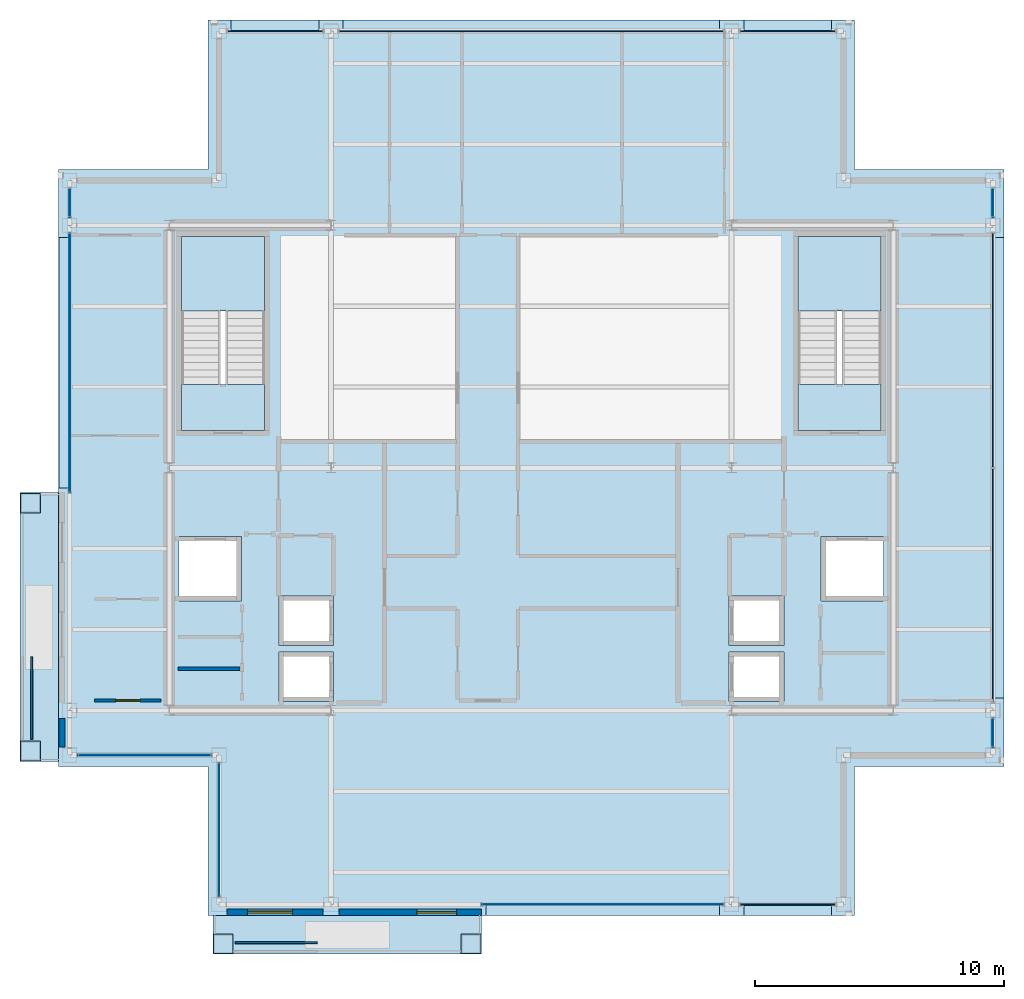
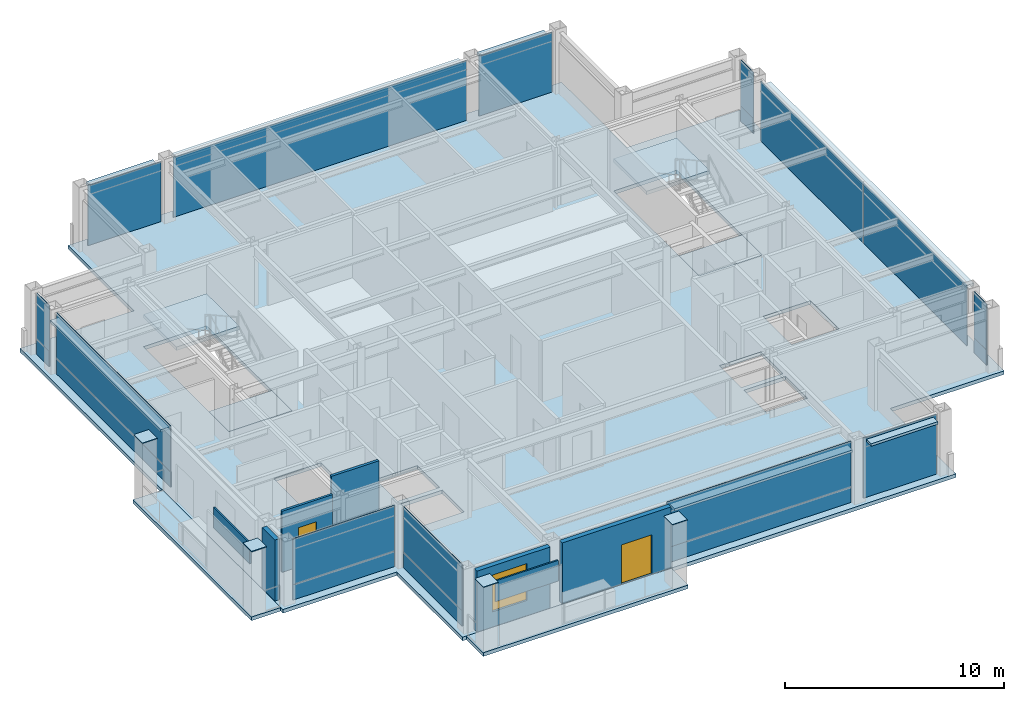
# One storey, part 19 of 24: 33 plates, 7 slabs, 5 walls, 2 doors, 1 window, 3 openings, 14 elements without a shape of their own.
"""IFC4 building model written with IfcOpenShell, lengths in metres."""

from ifc_helpers import new_model, si_unit, direction, frame, frame_2d, origin, origin_2d, place, context, subcontext, project, spatial, polyline, rectangle, outline, extrude, material, layer, layer_set, type_object, element, fill, aggregate, save


model = new_model("IFC4")

# Units and contexts
model_context = context("Model", 3, precision=1e-05, world=origin(), true_north=direction((0.0, 1.0)))
body_context = subcontext(model_context, "Body", "Model", "MODEL_VIEW")
ifc_project = project(units=[si_unit("LENGTHUNIT", "METRE"), si_unit("AREAUNIT", "SQUARE_METRE"), si_unit("VOLUMEUNIT", "CUBIC_METRE"), si_unit("PLANEANGLEUNIT", "RADIAN"), si_unit("MASSUNIT", "GRAM", prefix="KILO")], contexts=[model_context])

# Site, building, storey
site_placement = place(None, origin())
site = spatial("IfcSite", under=ifc_project, at=site_placement, CompositionType="ELEMENT")
building_placement = place(site_placement, origin())
building = spatial("IfcBuilding", under=site, at=building_placement, Name="Brelmoor Portico Tower", CompositionType="ELEMENT")
storey_placement = place(building_placement, frame((0.0, 0.0, 261.60009765625)))
storey = spatial("IfcBuildingStorey", under=building, at=storey_placement, Name="L69", CompositionType="ELEMENT", Elevation=261.60009765625)

# Plates
ifc_material_1 = material(Name="Steel Q355B", Category="steel")
ifc_layer_1 = layer(ifc_material_1, 0.044921875)
ifc_layer_set_1 = layer_set([ifc_layer_1], Name="Steel Q355B")
plate_type_1 = type_object("IfcPlateType", Name="PT-CAP-650", PredefinedType="SHEET", material=ifc_layer_set_1)
for number, where, z_axis, x_axis, name in (
    (1, (-12.3798828125, -19.1298828125, 3.599853515625), (0.0, 0.0, 1.0), (1.0, 0.0, 0.0), "L69 Proud Picture-Frame Pier PFJ-S1 Welded Head Cap Plate"),
    (2, (-2.419921875, -19.1298828125, 3.599853515625), (0.0, 0.0, 1.0), (1.0, 0.0, 0.0), "L69 Proud Picture-Frame Pier PFJ-S2 Welded Head Cap Plate"),
    (3, (-20.1298828125, -11.3798828125, 3.599853515625), (0.0, 0.0, 1.0), (0.0, 1.0, 0.0), "L69 Proud Picture-Frame Pier PFJ-W1 Welded Head Cap Plate"),
    (4, (-20.1298828125, -1.419921875, 3.599853515625), (0.0, 0.0, 1.0), (0.0, 1.0, 0.0), "L69 Proud Picture-Frame Pier PFJ-W2 Welded Head Cap Plate"),
):
    element("IfcPlate", number, at=place(storey_placement, frame(where, z_axis=z_axis, x_axis=x_axis)), inside=storey, type_object=plate_type_1, Name=name, PredefinedType="SHEET", context=body_context, shape_type="SweptSolid", body=[
        extrude(rectangle(XDim=0.7900390625, YDim=0.7900390625, at=origin_2d()), origin(), (0.0, 0.0, 1.0), 0.0400390625),
    ])

# Curtain wall, plate
ifc_material_2 = material(Name="Anodised Aluminium Alloy 6063-T6", Category="aluminium")
ifc_layer_2 = layer(ifc_material_2, 0.179931640625)
ifc_layer_set_2 = layer_set([ifc_layer_2], Name="Anodised Aluminium Alloy 6063-T6")
curtain_wall_type_1 = type_object("IfcCurtainWallType", Name="CW-TOWER-Z4", PredefinedType="NOTDEFINED", material=ifc_layer_set_2)
curtain_wall_1_placement = place(storey_placement, origin())
curtain_wall_1 = element("IfcCurtainWall", 5, at=curtain_wall_1_placement, inside=storey, type_object=curtain_wall_type_1, Name="L69 Curtain Wall CW-L69-1R-1", PredefinedType="NOTDEFINED")
ifc_material_3 = material(Name="Double-Silver Low-E Insulated Glazing", Category="glass")
ifc_layer_3 = layer(ifc_material_3, 0.035888671875)
ifc_layer_set_3 = layer_set([ifc_layer_3], Name="Double-Silver Low-E Insulated Glazing")
plate_type_2 = type_object("IfcPlateType", Name="PT-CW-GLASS", PredefinedType="CURTAIN_PANEL", material=ifc_layer_set_3)
plate_1_placement = place(storey_placement, frame((2.8701171875, -17.550048828125, 0.85009765625), z_axis=(0.0, 0.0, 1.0), x_axis=(1.0, 0.0, 0.0)))
plate_1 = element("IfcPlate", 6, at=plate_1_placement, type_object=plate_type_2, Name="CW-L69-1R-1 Vision Glass Panel 00", PredefinedType="CURTAIN_PANEL", context=body_context, shape_type="SweptSolid", body=[
    extrude(rectangle(XDim=9.7099609375, YDim=0.035888671875, at=origin_2d()), origin(), (0.0, 0.0, 1.0), 2.550048828125),
])

curtain_wall_2_placement = place(storey_placement, origin())
curtain_wall_2 = element("IfcCurtainWall", 7, at=curtain_wall_2_placement, inside=storey, type_object=curtain_wall_type_1, Name="L69 Curtain Wall CW-L69-3R-1", PredefinedType="NOTDEFINED")
plate_2_placement = place(storey_placement, frame((-18.550048828125, 4.219970703125, 0.85009765625), z_axis=(0.0, 0.0, 1.0), x_axis=(0.0, 1.0, 0.0)))
plate_2 = element("IfcPlate", 8, at=plate_2_placement, type_object=plate_type_2, Name="CW-L69-3R-1 Vision Glass Panel 00", PredefinedType="CURTAIN_PANEL", context=body_context, shape_type="SweptSolid", body=[
    extrude(rectangle(XDim=10.409912109375, YDim=0.035888671875, at=origin_2d()), origin(), (0.0, 0.0, 1.0), 2.550048828125),
])

curtain_wall_3_placement = place(storey_placement, origin())
curtain_wall_3 = element("IfcCurtainWall", 9, at=curtain_wall_3_placement, inside=storey, type_object=curtain_wall_type_1, Name="L69 Curtain Wall CW-L69-3R-2", PredefinedType="NOTDEFINED")
plate_3_placement = place(storey_placement, frame((-18.550048828125, 10.64990234375, 0.85009765625), z_axis=(0.0, 0.0, 1.0), x_axis=(0.0, 1.0, 0.0)))
plate_3 = element("IfcPlate", 10, at=plate_3_placement, type_object=plate_type_2, Name="CW-L69-3R-2 Vision Glass Panel 00", PredefinedType="CURTAIN_PANEL", context=body_context, shape_type="SweptSolid", body=[
    extrude(rectangle(XDim=1.14990234375, YDim=0.035888671875, at=origin_2d()), origin(), (0.0, 0.0, 1.0), 2.550048828125),
])

curtain_wall_4_placement = place(storey_placement, origin())
curtain_wall_4 = element("IfcCurtainWall", 11, at=curtain_wall_4_placement, inside=storey, type_object=curtain_wall_type_1, Name="L69 Curtain Wall CW-L69-04-1", PredefinedType="NOTDEFINED")
plate_4_placement = place(storey_placement, frame((18.550048828125, -10.64990234375, 0.85009765625), z_axis=(0.0, 0.0, 1.0), x_axis=(0.0, 1.0, 0.0)))
plate_4 = element("IfcPlate", 12, at=plate_4_placement, type_object=plate_type_2, Name="CW-L69-04-1 Vision Glass Panel 00", PredefinedType="CURTAIN_PANEL", context=body_context, shape_type="SweptSolid", body=[
    extrude(rectangle(XDim=1.14990234375, YDim=0.035888671875, at=origin_2d()), origin(), (0.0, 0.0, 1.0), 2.550048828125),
])

curtain_wall_5_placement = place(storey_placement, origin())
curtain_wall_5 = element("IfcCurtainWall", 13, at=curtain_wall_5_placement, inside=storey, type_object=curtain_wall_type_1, Name="L69 Curtain Wall CW-L69-04-3", PredefinedType="NOTDEFINED")
plate_5_placement = place(storey_placement, frame((18.550048828125, 10.64990234375, 0.85009765625), z_axis=(0.0, 0.0, 1.0), x_axis=(0.0, 1.0, 0.0)))
plate_5 = element("IfcPlate", 14, at=plate_5_placement, type_object=plate_type_2, Name="CW-L69-04-3 Vision Glass Panel 00", PredefinedType="CURTAIN_PANEL", context=body_context, shape_type="SweptSolid", body=[
    extrude(rectangle(XDim=1.14990234375, YDim=0.035888671875, at=origin_2d()), origin(), (0.0, 0.0, 1.0), 2.550048828125),
])

ifc_layer_4 = layer(ifc_material_2, 0.179931640625)
ifc_layer_set_4 = layer_set([ifc_layer_4], Name="Anodised Aluminium Alloy 6063-T6")
curtain_wall_type_2 = type_object("IfcCurtainWallType", Name="CW-NOTCH-CHAMFER", PredefinedType="NOTDEFINED", material=ifc_layer_set_4)
curtain_wall_6_placement = place(storey_placement, origin())
curtain_wall_6 = element("IfcCurtainWall", 15, at=curtain_wall_6_placement, inside=storey, type_object=curtain_wall_type_2, Name="L69 Curtain Wall CWN-L69-SWH", PredefinedType="NOTDEFINED")
plate_6_placement = place(storey_placement, frame((-15.550048828125, -11.550048828125, 0.85009765625), z_axis=(0.0, 0.0, 1.0), x_axis=(1.0, 0.0, 0.0)))
plate_6 = element("IfcPlate", 16, at=plate_6_placement, type_object=plate_type_2, Name="CWN-L69-SWH Vision Glass Panel 00", PredefinedType="CURTAIN_PANEL", context=body_context, shape_type="SweptSolid", body=[
    extrude(rectangle(XDim=5.35009765625, YDim=0.035888671875, at=origin_2d()), origin(), (0.0, 0.0, 1.0), 2.550048828125),
])

curtain_wall_7_placement = place(storey_placement, origin())
curtain_wall_7 = element("IfcCurtainWall", 17, at=curtain_wall_7_placement, inside=storey, type_object=curtain_wall_type_2, Name="L69 Curtain Wall CWN-L69-SWV", PredefinedType="NOTDEFINED")
plate_7_placement = place(storey_placement, frame((-12.550048828125, -14.550048828125, 0.85009765625), z_axis=(0.0, 0.0, 1.0), x_axis=(0.0, 1.0, 0.0)))
plate_7 = element("IfcPlate", 18, at=plate_7_placement, type_object=plate_type_2, Name="CWN-L69-SWV Vision Glass Panel 00", PredefinedType="CURTAIN_PANEL", context=body_context, shape_type="SweptSolid", body=[
    extrude(rectangle(XDim=5.35009765625, YDim=0.035888671875, at=origin_2d()), origin(), (0.0, 0.0, 1.0), 2.550048828125),
])

# Plate
ifc_material_4 = material(Name="Pale Champagne Anodised Aluminium Panel", Category="aluminium")
ifc_layer_5 = layer(ifc_material_4, 0.050048828125)
ifc_layer_set_5 = layer_set([ifc_layer_5], Name="Pale Champagne Anodised Aluminium Panel")
plate_type_3 = type_object("IfcPlateType", Name="PT-CW-SPANDREL", PredefinedType="SHEET", material=ifc_layer_set_5)
plate_8_placement = place(storey_placement, frame((2.8701171875, -17.550048828125, -0.000244140625), z_axis=(0.0, 0.0, 1.0), x_axis=(1.0, 0.0, 0.0)))
plate_8 = element("IfcPlate", 19, at=plate_8_placement, type_object=plate_type_3, Name="CW-L69-1R-1 Spandrel Panel 00", PredefinedType="SHEET", context=body_context, shape_type="SweptSolid", body=[
    extrude(rectangle(XDim=9.7099609375, YDim=0.050048828125, at=origin_2d()), origin(), (0.0, 0.0, 1.0), 0.85009765625),
])

aggregate(curtain_wall_1, [plate_8, plate_1])

# Curtain wall, plate
ifc_layer_6 = layer(ifc_material_2, 0.179931640625)
ifc_layer_set_6 = layer_set([ifc_layer_6], Name="Anodised Aluminium Alloy 6063-T6")
curtain_wall_type_3 = type_object("IfcCurtainWallType", Name="CW-TOWER-Z4-XB", PredefinedType="NOTDEFINED", material=ifc_layer_set_6)
curtain_wall_8_placement = place(storey_placement, origin())
curtain_wall_8 = element("IfcCurtainWall", 20, at=curtain_wall_8_placement, inside=storey, type_object=curtain_wall_type_3, Name="L69 Curtain Wall CW-L69-1R-2", PredefinedType="NOTDEFINED")
plate_9_placement = place(storey_placement, frame((10.300048828125, -17.550048828125, 0.0), z_axis=(0.0, 0.0, 1.0), x_axis=(1.0, 0.0, 0.0)))
plate_9 = element("IfcPlate", 21, at=plate_9_placement, type_object=plate_type_3, Name="CW-L69-1R-2 Spandrel Panel 00", PredefinedType="SHEET", context=body_context, shape_type="SweptSolid", body=[
    extrude(rectangle(XDim=3.85009765625, YDim=0.050048828125, at=origin_2d()), origin(), (0.0, 0.0, 1.0), 3.33740234375),
])
aggregate(curtain_wall_8, [plate_9])

curtain_wall_9_placement = place(storey_placement, origin())
curtain_wall_9 = element("IfcCurtainWall", 22, at=curtain_wall_9_placement, inside=storey, type_object=curtain_wall_type_3, Name="L69 Curtain Wall CW-L69-02-1", PredefinedType="NOTDEFINED")
plate_10_placement = place(storey_placement, frame((-10.300048828125, 17.550048828125, 0.0), z_axis=(0.0, 0.0, 1.0), x_axis=(1.0, 0.0, 0.0)))
plate_10 = element("IfcPlate", 23, at=plate_10_placement, type_object=plate_type_3, Name="CW-L69-02-1 Spandrel Panel 00", PredefinedType="SHEET", context=body_context, shape_type="SweptSolid", body=[
    extrude(rectangle(XDim=3.85009765625, YDim=0.050048828125, at=origin_2d()), origin(), (0.0, 0.0, 1.0), 3.33740234375),
])
aggregate(curtain_wall_9, [plate_10])

curtain_wall_10_placement = place(storey_placement, origin())
curtain_wall_10 = element("IfcCurtainWall", 24, at=curtain_wall_10_placement, inside=storey, type_object=curtain_wall_type_3, Name="L69 Curtain Wall CW-L69-02-2", PredefinedType="NOTDEFINED")
plate_11_placement = place(storey_placement, frame((0.0, 17.550048828125, 0.0), z_axis=(0.0, 0.0, 1.0), x_axis=(1.0, 0.0, 0.0)))
plate_11 = element("IfcPlate", 25, at=plate_11_placement, type_object=plate_type_3, Name="CW-L69-02-2 Spandrel Panel 00", PredefinedType="SHEET", context=body_context, shape_type="SweptSolid", body=[
    extrude(rectangle(XDim=15.449951171875, YDim=0.050048828125, at=origin_2d()), origin(), (0.0, 0.0, 1.0), 3.33740234375),
])
aggregate(curtain_wall_10, [plate_11])

curtain_wall_11_placement = place(storey_placement, origin())
curtain_wall_11 = element("IfcCurtainWall", 26, at=curtain_wall_11_placement, inside=storey, type_object=curtain_wall_type_3, Name="L69 Curtain Wall CW-L69-02-3", PredefinedType="NOTDEFINED")
plate_12_placement = place(storey_placement, frame((10.300048828125, 17.550048828125, 0.0), z_axis=(0.0, 0.0, 1.0), x_axis=(1.0, 0.0, 0.0)))
plate_12 = element("IfcPlate", 27, at=plate_12_placement, type_object=plate_type_3, Name="CW-L69-02-3 Spandrel Panel 00", PredefinedType="SHEET", context=body_context, shape_type="SweptSolid", body=[
    extrude(rectangle(XDim=3.85009765625, YDim=0.050048828125, at=origin_2d()), origin(), (0.0, 0.0, 1.0), 3.33740234375),
])
aggregate(curtain_wall_11, [plate_12])

# Plate
plate_13_placement = place(storey_placement, frame((-18.550048828125, 4.219970703125, -0.000244140625), z_axis=(0.0, 0.0, 1.0), x_axis=(0.0, 1.0, 0.0)))
plate_13 = element("IfcPlate", 28, at=plate_13_placement, type_object=plate_type_3, Name="CW-L69-3R-1 Spandrel Panel 00", PredefinedType="SHEET", context=body_context, shape_type="SweptSolid", body=[
    extrude(rectangle(XDim=10.409912109375, YDim=0.050048828125, at=origin_2d()), origin(), (0.0, 0.0, 1.0), 0.85009765625),
])

aggregate(curtain_wall_2, [plate_13, plate_2])

plate_14_placement = place(storey_placement, frame((-18.550048828125, 10.64990234375, -0.000244140625), z_axis=(0.0, 0.0, 1.0), x_axis=(0.0, 1.0, 0.0)))
plate_14 = element("IfcPlate", 29, at=plate_14_placement, type_object=plate_type_3, Name="CW-L69-3R-2 Spandrel Panel 00", PredefinedType="SHEET", context=body_context, shape_type="SweptSolid", body=[
    extrude(rectangle(XDim=1.14990234375, YDim=0.050048828125, at=origin_2d()), origin(), (0.0, 0.0, 1.0), 0.85009765625),
])

aggregate(curtain_wall_3, [plate_14, plate_3])

plate_15_placement = place(storey_placement, frame((18.550048828125, -10.64990234375, -0.000244140625), z_axis=(0.0, 0.0, 1.0), x_axis=(0.0, 1.0, 0.0)))
plate_15 = element("IfcPlate", 30, at=plate_15_placement, type_object=plate_type_3, Name="CW-L69-04-1 Spandrel Panel 00", PredefinedType="SHEET", context=body_context, shape_type="SweptSolid", body=[
    extrude(rectangle(XDim=1.14990234375, YDim=0.050048828125, at=origin_2d()), origin(), (0.0, 0.0, 1.0), 0.85009765625),
])

aggregate(curtain_wall_4, [plate_15, plate_4])

# Curtain wall, plates
curtain_wall_12_placement = place(storey_placement, origin())
curtain_wall_12 = element("IfcCurtainWall", 31, at=curtain_wall_12_placement, inside=storey, type_object=curtain_wall_type_3, Name="L69 Curtain Wall CW-L69-04-2", PredefinedType="NOTDEFINED")
plate_16_placement = place(storey_placement, frame((18.550048828125, -4.719970703125, 0.0), z_axis=(0.0, 0.0, 1.0), x_axis=(0.0, 1.0, 0.0)))
plate_16 = element("IfcPlate", 32, at=plate_16_placement, type_object=plate_type_3, Name="CW-L69-04-2 Spandrel Panel 00", PredefinedType="SHEET", context=body_context, shape_type="SweptSolid", body=[
    extrude(rectangle(XDim=9.409912109375, YDim=0.050048828125, at=origin_2d()), origin(), (0.0, 0.0, 1.0), 3.33740234375),
])
plate_17_placement = place(storey_placement, frame((18.550048828125, 4.719970703125, 0.0), z_axis=(0.0, 0.0, 1.0), x_axis=(0.0, 1.0, 0.0)))
plate_17 = element("IfcPlate", 33, at=plate_17_placement, type_object=plate_type_3, Name="CW-L69-04-2 Spandrel Panel 01", PredefinedType="SHEET", context=body_context, shape_type="SweptSolid", body=[
    extrude(rectangle(XDim=9.409912109375, YDim=0.050048828125, at=origin_2d()), origin(), (0.0, 0.0, 1.0), 3.33740234375),
])
aggregate(curtain_wall_12, [plate_16, plate_17])

# Plate
plate_18_placement = place(storey_placement, frame((18.550048828125, 10.64990234375, -0.000244140625), z_axis=(0.0, 0.0, 1.0), x_axis=(0.0, 1.0, 0.0)))
plate_18 = element("IfcPlate", 34, at=plate_18_placement, type_object=plate_type_3, Name="CW-L69-04-3 Spandrel Panel 00", PredefinedType="SHEET", context=body_context, shape_type="SweptSolid", body=[
    extrude(rectangle(XDim=1.14990234375, YDim=0.050048828125, at=origin_2d()), origin(), (0.0, 0.0, 1.0), 0.85009765625),
])

aggregate(curtain_wall_5, [plate_18, plate_5])

plate_19_placement = place(storey_placement, frame((-15.550048828125, -11.550048828125, -0.000244140625), z_axis=(0.0, 0.0, 1.0), x_axis=(1.0, 0.0, 0.0)))
plate_19 = element("IfcPlate", 35, at=plate_19_placement, type_object=plate_type_3, Name="CWN-L69-SWH Spandrel Panel 00", PredefinedType="SHEET", context=body_context, shape_type="SweptSolid", body=[
    extrude(rectangle(XDim=5.35009765625, YDim=0.050048828125, at=origin_2d()), origin(), (0.0, 0.0, 1.0), 0.85009765625),
])

aggregate(curtain_wall_6, [plate_19, plate_6])

plate_20_placement = place(storey_placement, frame((-12.550048828125, -14.550048828125, -0.000244140625), z_axis=(0.0, 0.0, 1.0), x_axis=(0.0, 1.0, 0.0)))
plate_20 = element("IfcPlate", 36, at=plate_20_placement, type_object=plate_type_3, Name="CWN-L69-SWV Spandrel Panel 00", PredefinedType="SHEET", context=body_context, shape_type="SweptSolid", body=[
    extrude(rectangle(XDim=5.35009765625, YDim=0.050048828125, at=origin_2d()), origin(), (0.0, 0.0, 1.0), 0.85009765625),
])

aggregate(curtain_wall_7, [plate_20, plate_7])

# Plates
ifc_material_5 = material(Name="Powder-Coated Aluminium Shuttered Jalousie Louvre", Category="aluminium")
ifc_layer_7 = layer(ifc_material_5, 0.06005859375)
ifc_layer_set_7 = layer_set([ifc_layer_7], Name="Powder-Coated Aluminium Shuttered Jalousie Louvre")
plate_type_4 = type_object("IfcPlateType", Name="PT-JALOUSIE-SHUTTER", PredefinedType="SHEET", material=ifc_layer_set_7)
for number, where, z_axis, x_axis, name in (
    (37, (-10.25, -19.080078125, 2.27490234375), (0.0, 0.0, 1.0), (1.0, 0.0, 0.0), "L69 Shuttered Veranda Screen S"),
    (38, (-20.080078125, -9.25, 2.27490234375), (0.0, 0.0, 1.0), (0.0, 1.0, 0.0), "L69 Shuttered Veranda Screen W"),
):
    element("IfcPlate", number, at=place(storey_placement, frame(where, z_axis=z_axis, x_axis=x_axis)), inside=storey, type_object=plate_type_4, Name=name, PredefinedType="SHEET", context=body_context, shape_type="SweptSolid", body=[
        extrude(rectangle(XDim=3.300048828125, YDim=0.080078125, at=origin_2d()), origin(), (0.0, 0.0, 1.0), 1.14990234375),
    ])
ifc_material_6 = material(Name="Pale Champagne Perforated Aluminium Solar Screen", Category="aluminium")
ifc_layer_8 = layer(ifc_material_6, 0.054931640625)
ifc_layer_set_8 = layer_set([ifc_layer_8], Name="Pale Champagne Perforated Aluminium Solar Screen")
plate_type_5 = type_object("IfcPlateType", Name="PT-SOLAR-LOUVRE", PredefinedType="SHEET", material=ifc_layer_set_8)
plate_21_placement = place(storey_placement, frame((2.8701171875, -17.760009765625, 3.08984375), z_axis=(0.0, 0.0, 1.0), x_axis=(1.0, 0.0, 0.0)))
element("IfcPlate", 39, at=plate_21_placement, inside=storey, type_object=plate_type_5, Name="CW-L69-1R-1 Caribbean Brise-Soleil Solar Screen", PredefinedType="SHEET", context=body_context, shape_type="SweptSolid", body=[
    extrude(rectangle(XDim=9.3798828125, YDim=0.4599609375, at=origin_2d()), origin(), (0.0, 0.0, 1.0), 0.139892578125),
])
for number, where, z_axis, x_axis, name in (
    (40, (10.300048828125, -17.760009765625, 3.08984375), (0.0, 0.0, 1.0), (1.0, 0.0, 0.0), "CW-L69-1R-2 Caribbean Brise-Soleil Solar Screen"),
    (41, (-10.300048828125, 17.760009765625, 3.08984375), (0.0, 0.0, 1.0), (1.0, 0.0, 0.0), "CW-L69-02-1 Caribbean Brise-Soleil Solar Screen"),
):
    element("IfcPlate", number, at=place(storey_placement, frame(where, z_axis=z_axis, x_axis=x_axis)), inside=storey, type_object=plate_type_5, Name=name, PredefinedType="SHEET", context=body_context, shape_type="SweptSolid", body=[
        extrude(rectangle(XDim=3.52001953125, YDim=0.4599609375, at=origin_2d()), origin(), (0.0, 0.0, 1.0), 0.139892578125),
    ])
plate_22_placement = place(storey_placement, frame((0.0, 17.760009765625, 3.08984375), z_axis=(0.0, 0.0, 1.0), x_axis=(1.0, 0.0, 0.0)))
element("IfcPlate", 42, at=plate_22_placement, inside=storey, type_object=plate_type_5, Name="CW-L69-02-2 Caribbean Brise-Soleil Solar Screen", PredefinedType="SHEET", context=body_context, shape_type="SweptSolid", body=[
    extrude(rectangle(XDim=15.1201171875, YDim=0.4599609375, at=origin_2d()), origin(), (0.0, 0.0, 1.0), 0.139892578125),
])
plate_23_placement = place(storey_placement, frame((10.300048828125, 17.760009765625, 3.08984375), z_axis=(0.0, 0.0, 1.0), x_axis=(1.0, 0.0, 0.0)))
element("IfcPlate", 43, at=plate_23_placement, inside=storey, type_object=plate_type_5, Name="CW-L69-02-3 Caribbean Brise-Soleil Solar Screen", PredefinedType="SHEET", context=body_context, shape_type="SweptSolid", body=[
    extrude(rectangle(XDim=3.52001953125, YDim=0.4599609375, at=origin_2d()), origin(), (0.0, 0.0, 1.0), 0.139892578125),
])
plate_24_placement = place(storey_placement, frame((-18.760009765625, 4.219970703125, 3.08984375), z_axis=(0.0, 0.0, 1.0), x_axis=(0.0, 1.0, 0.0)))
element("IfcPlate", 44, at=plate_24_placement, inside=storey, type_object=plate_type_5, Name="CW-L69-3R-1 Caribbean Brise-Soleil Solar Screen", PredefinedType="SHEET", context=body_context, shape_type="SweptSolid", body=[
    extrude(rectangle(XDim=10.080078125, YDim=0.4599609375, at=origin_2d()), origin(), (0.0, 0.0, 1.0), 0.139892578125),
])
plate_25_placement = place(storey_placement, frame((18.760009765625, 0.0, 3.08984375), z_axis=(0.0, 0.0, 1.0), x_axis=(0.0, 1.0, 0.0)))
element("IfcPlate", 45, at=plate_25_placement, inside=storey, type_object=plate_type_5, Name="CW-L69-04-2 Caribbean Brise-Soleil Solar Screen", PredefinedType="SHEET", context=body_context, shape_type="SweptSolid", body=[
    extrude(rectangle(XDim=18.52001953125, YDim=0.4599609375, at=origin_2d()), origin(), (0.0, 0.0, 1.0), 0.139892578125),
])

# Slabs
ifc_material_7 = material(Name="Concrete C40", Category="concrete")
ifc_layer_9 = layer(ifc_material_7, 0.199951171875)
ifc_layer_set_9 = layer_set([ifc_layer_9], Name="Concrete C40")
slab_type_1 = type_object("IfcSlabType", Name="SL-BALCONY-200", PredefinedType="FLOOR", material=ifc_layer_set_9)
slab_1_placement = place(storey_placement, frame((0.0, 0.0, -0.2001953125)))
element("IfcSlab", 46, at=slab_1_placement, inside=storey, type_object=slab_type_1, Name="L69 Loggia Tree Balcony Slab S", PredefinedType="FLOOR", context=body_context, shape_type="SweptSolid", body=[
    extrude(outline(polyline([(-12.800048828125, -19.550048828125), (-2.0, -19.550048828125), (-2.0, -18.0), (-12.800048828125, -18.0), (-12.800048828125, -19.550048828125)])), origin(), (0.0, 0.0, 1.0), 0.2001953125),
])
slab_2_placement = place(storey_placement, frame((0.0, 0.0, -0.2001953125)))
element("IfcSlab", 47, at=slab_2_placement, inside=storey, type_object=slab_type_1, Name="L69 Loggia Tree Balcony Slab W", PredefinedType="FLOOR", context=body_context, shape_type="SweptSolid", body=[
    extrude(outline(polyline([(-20.550048828125, -11.800048828125), (-19.0, -11.800048828125), (-19.0, -1.0), (-20.550048828125, -1.0), (-20.550048828125, -11.800048828125)])), origin(), (0.0, 0.0, 1.0), 0.2001953125),
])
ifc_layer_10 = layer(ifc_material_7, 0.199951171875)
ifc_layer_set_10 = layer_set([ifc_layer_10], Name="Concrete C40")
slab_type_2 = type_object("IfcSlabType", Name="SL-FLOOR-200", PredefinedType="FLOOR", material=ifc_layer_set_10)
slab_3_placement = place(storey_placement, frame((0.0, 0.0, -0.2001953125)))
element("IfcSlab", 48, at=slab_3_placement, inside=storey, type_object=slab_type_2, Name="L69 Main Structural Floor Slab", PredefinedType="FLOOR", context=body_context, shape_type="SweptSolid", body=[
    extrude(outline(polyline([(-13.0, -18.0), (13.0, -18.0), (13.0, -12.0), (19.0, -12.0), (19.0, 12.0), (13.0, 12.0), (13.0, 18.0), (-13.0, 18.0), (-13.0, 12.0), (-19.0, 12.0), (-19.0, -12.0), (-13.0, -12.0), (-13.0, -18.0)]), holes=[polyline([(-10.72998046875, 1.5), (-10.72998046875, 9.300048828125), (-14.050048828125, 9.300048828125), (-14.050048828125, 1.5), (-10.72998046875, 1.5)]), polyline([(14.050048828125, 1.5), (14.050048828125, 9.300048828125), (10.72998046875, 9.300048828125), (10.72998046875, 1.5), (14.050048828125, 1.5)]), polyline([(-10.14990234375, -9.39990234375), (-7.949951171875, -9.39990234375), (-7.949951171875, -7.39990234375), (-10.14990234375, -7.39990234375), (-10.14990234375, -9.39990234375)]), polyline([(-10.14990234375, -7.14990234375), (-7.949951171875, -7.14990234375), (-7.949951171875, -5.14990234375), (-10.14990234375, -5.14990234375), (-10.14990234375, -7.14990234375)]), polyline([(7.949951171875, -9.39990234375), (10.14990234375, -9.39990234375), (10.14990234375, -7.39990234375), (7.949951171875, -7.39990234375), (7.949951171875, -9.39990234375)]), polyline([(7.949951171875, -7.14990234375), (10.14990234375, -7.14990234375), (10.14990234375, -5.14990234375), (7.949951171875, -5.14990234375), (7.949951171875, -7.14990234375)]), polyline([(-14.14990234375, -5.35009765625), (-11.64990234375, -5.35009765625), (-11.64990234375, -2.75), (-14.14990234375, -2.75), (-14.14990234375, -5.35009765625)]), polyline([(11.64990234375, -5.35009765625), (14.14990234375, -5.35009765625), (14.14990234375, -2.75), (11.64990234375, -2.75), (11.64990234375, -5.35009765625)])]), origin(), (0.0, 0.0, 1.0), 0.2001953125),
])

# Stair, slab
stair_type_1 = type_object("IfcStairType", Name="ST-CORE-W", PredefinedType="HALF_TURN_STAIR", material=ifc_material_7)
stair_1_placement = place(storey_placement, origin())
stair_1 = element("IfcStair", 49, at=stair_1_placement, inside=storey, type_object=stair_type_1, Name="L69 Protected Core Exit Stair ST-W", PredefinedType="HALF_TURN_STAIR")
ifc_layer_11 = layer(ifc_material_7, 0.179931640625)
ifc_layer_set_11 = layer_set([ifc_layer_11], Name="Concrete C40")
slab_type_3 = type_object("IfcSlabType", Name="SL-LANDING-180", PredefinedType="LANDING", material=ifc_layer_set_11)
slab_4_placement = place(storey_placement, frame((0.0, 0.0, 1.599853515625)))
slab_4 = element("IfcSlab", 50, at=slab_4_placement, type_object=slab_type_3, Name="ST-W landing 1", PredefinedType="LANDING", context=body_context, shape_type="SweptSolid", body=[
    extrude(outline(polyline([(-10.72998046875, 6.300048828125), (-10.72998046875, 9.300048828125), (-14.050048828125, 9.300048828125), (-14.050048828125, 6.300048828125), (-10.72998046875, 6.300048828125)])), origin(), (0.0, 0.0, 1.0), 0.199951171875),
])
aggregate(stair_1, [slab_4])

stair_type_2 = type_object("IfcStairType", Name="ST-CORE-E", PredefinedType="HALF_TURN_STAIR", material=ifc_material_7)
stair_2_placement = place(storey_placement, origin())
stair_2 = element("IfcStair", 51, at=stair_2_placement, inside=storey, type_object=stair_type_2, Name="L69 Protected Core Exit Stair ST-E", PredefinedType="HALF_TURN_STAIR")
slab_5_placement = place(storey_placement, frame((0.0, 0.0, 1.599853515625)))
slab_5 = element("IfcSlab", 52, at=slab_5_placement, type_object=slab_type_3, Name="ST-E landing 1", PredefinedType="LANDING", context=body_context, shape_type="SweptSolid", body=[
    extrude(outline(polyline([(14.050048828125, 6.300048828125), (14.050048828125, 9.300048828125), (10.72998046875, 9.300048828125), (10.72998046875, 6.300048828125), (14.050048828125, 6.300048828125)])), origin(), (0.0, 0.0, 1.0), 0.199951171875),
])
aggregate(stair_2, [slab_5])

# Slabs
ifc_layer_12 = layer(ifc_material_7, 0.199951171875)
ifc_layer_set_12 = layer_set([ifc_layer_12], Name="Concrete C40")
slab_type_4 = type_object("IfcSlabType", Name="SL-STAIR-FL200", PredefinedType="LANDING", material=ifc_layer_set_12)
slab_6_placement = place(storey_placement, frame((0.0, 0.0, -0.2001953125)))
element("IfcSlab", 53, at=slab_6_placement, inside=storey, type_object=slab_type_4, Name="L69 ST-W Structural Floor Landing Slab", PredefinedType="LANDING", context=body_context, shape_type="SweptSolid", body=[
    extrude(outline(polyline([(-10.72998046875, 1.5), (-10.72998046875, 3.35009765625), (-14.050048828125, 3.35009765625), (-14.050048828125, 1.5), (-10.72998046875, 1.5)])), origin(), (0.0, 0.0, 1.0), 0.2001953125),
])
slab_7_placement = place(storey_placement, frame((0.0, 0.0, -0.2001953125)))
element("IfcSlab", 54, at=slab_7_placement, inside=storey, type_object=slab_type_4, Name="L69 ST-E Structural Floor Landing Slab", PredefinedType="LANDING", context=body_context, shape_type="SweptSolid", body=[
    extrude(outline(polyline([(14.050048828125, 1.5), (14.050048828125, 3.35009765625), (10.72998046875, 3.35009765625), (10.72998046875, 1.5), (14.050048828125, 1.5)])), origin(), (0.0, 0.0, 1.0), 0.2001953125),
])

# Wall, opening, window
ifc_material_8 = material(Name="Precast Concrete C40 Insulated Facade Wall", Category="concrete")
ifc_layer_13 = layer(ifc_material_8, 0.25)
ifc_layer_set_13 = layer_set([ifc_layer_13], Name="Precast Concrete C40 Insulated Facade Wall")
wall_type_1 = type_object("IfcWallType", Name="WL-EXT-250", PredefinedType="STANDARD", material=ifc_layer_set_13)
wall_1_placement = place(storey_placement, frame((-12.22998046875, -17.860107421875, 0.0), z_axis=(0.0, 0.0, 1.0), x_axis=(1.0, 0.0, 0.0)))
wall_1 = element("IfcWall", 55, at=wall_1_placement, inside=storey, type_object=wall_type_1, Name="L69 Loggia Threshold Wall S-1", PredefinedType="STANDARD", context=body_context, shape_type="SweptSolid", body=[
    extrude(rectangle(XDim=3.85986328125, YDim=0.25, at=frame_2d((1.929931640625, 0.0))), origin(), (0.0, 0.0, 1.0), 3.39990234375),
])
opening_1_placement = place(wall_1_placement, frame((0.830078125, 0.0, 0.85009765625)))
opening_1 = element("IfcOpeningElement", 56, at=opening_1_placement, cuts=wall_1, Name="Opening W-03C", PredefinedType="OPENING", context=body_context, shape_type="SweptSolid", body=[
    extrude(rectangle(XDim=1.800048828125, YDim=2.050048828125, at=frame_2d((0.89990234375, 1.02490234375))), frame((0.0, 0.135009765625, 0.0), z_axis=(0.0, -1.0, 0.0), x_axis=(1.0, 0.0, 0.0)), (0.0, 0.0, 1.0), 0.27001953125),
])
ifc_material_9 = material(Name="Thermally Broken Aluminium Low-E Window", Category="aluminium")
window_type = type_object("IfcWindowType", Name="WN-LOGGIA-1800x2050", PartitioningType="SINGLE_PANEL", PredefinedType="WINDOW", material=ifc_material_9)
window_placement = place(opening_1_placement, origin())
window = element("IfcWindow", 57, at=window_placement, inside=storey, type_object=window_type, Name="L69 Loggia Window S", OverallHeight=2.050048828125, OverallWidth=1.800048828125, PartitioningType="SINGLE_PANEL", PredefinedType="WINDOW", context=body_context, shape_type="SweptSolid", body=[
    extrude(rectangle(XDim=1.800048828125, YDim=2.050048828125, at=frame_2d((0.89990234375, 1.02490234375))), frame((0.0, 0.030029296875, 0.0), z_axis=(0.0, -1.0, 0.0), x_axis=(1.0, 0.0, 0.0)), (0.0, 0.0, 1.0), 0.06005859375),
])
fill(opening_1, window)

# Wall, opening, door
wall_2_placement = place(storey_placement, frame((-7.72998046875, -17.860107421875, 0.0), z_axis=(0.0, 0.0, 1.0), x_axis=(1.0, 0.0, 0.0)))
wall_2 = element("IfcWall", 58, at=wall_2_placement, inside=storey, type_object=wall_type_1, Name="L69 Loggia Threshold Wall S-2", PredefinedType="STANDARD", context=body_context, shape_type="SweptSolid", body=[
    extrude(rectangle(XDim=5.72998046875, YDim=0.25, at=frame_2d((2.864990234375, 0.0))), origin(), (0.0, 0.0, 1.0), 3.39990234375),
])
opening_2_placement = place(wall_2_placement, frame((3.1298828125, 0.0, 0.0)))
opening_2 = element("IfcOpeningElement", 59, at=opening_2_placement, cuts=wall_2, Name="Opening D-TB1", PredefinedType="OPENING", context=body_context, shape_type="SweptSolid", body=[
    extrude(rectangle(XDim=1.60009765625, YDim=2.199951171875, at=frame_2d((0.800048828125, 1.10009765625))), frame((0.0, 0.135009765625, 0.0), z_axis=(0.0, -1.0, 0.0), x_axis=(1.0, 0.0, 0.0)), (0.0, 0.0, 1.0), 0.27001953125),
])
ifc_material_10 = material(Name="Double-Leaf Thermally Broken Terrace Door", Category="aluminium")
door_type_1 = type_object("IfcDoorType", Name="DR-BALCONY-1600", OperationType="NOTDEFINED", PredefinedType="DOOR", material=ifc_material_10)
door_1_placement = place(opening_2_placement, origin())
door_1 = element("IfcDoor", 60, at=door_1_placement, inside=storey, type_object=door_type_1, Name="D-2851 L69 Tree Balcony Double Door S", OperationType="DOUBLE_DOOR_SINGLE_SWING", OverallHeight=2.199951171875, OverallWidth=1.60009765625, PredefinedType="DOOR", context=body_context, shape_type="SweptSolid", body=[
    extrude(rectangle(XDim=1.60009765625, YDim=2.199951171875, at=frame_2d((0.800048828125, 1.10009765625))), frame((0.0, 0.02490234375, 0.0), z_axis=(0.0, -1.0, 0.0), x_axis=(1.0, 0.0, 0.0)), (0.0, 0.0, 1.0), 0.050048828125),
])
fill(opening_2, door_1)

# Wall
wall_3_placement = place(storey_placement, frame((-18.860107421875, -11.22998046875, 0.0), z_axis=(0.0, 0.0, 1.0), x_axis=(0.0, 1.0, 0.0)))
element("IfcWall", 61, at=wall_3_placement, inside=storey, type_object=wall_type_1, Name="L69 Loggia Threshold Wall W-1", PredefinedType="STANDARD", context=body_context, shape_type="SweptSolid", body=[
    extrude(rectangle(XDim=1.159912109375, YDim=0.25, at=frame_2d((0.580078125, 0.0))), origin(), (0.0, 0.0, 1.0), 3.39990234375),
])

# Wall, opening, door
ifc_material_11 = material(Name="Lightweight Gypsum Office Partition", Category="gypsum")
ifc_layer_14 = layer(ifc_material_11, 0.1201171875)
ifc_layer_set_14 = layer_set([ifc_layer_14], Name="Lightweight Gypsum Office Partition")
wall_type_2 = type_object("IfcWallType", Name="WL-PART-120", PredefinedType="PARTITIONING", material=ifc_layer_set_14)
wall_4_placement = place(storey_placement, frame((-17.550048828125, -9.35009765625, 0.0), z_axis=(0.0, 0.0, 1.0), x_axis=(1.0, 0.0, 0.0)))
wall_4 = element("IfcWall", 62, at=wall_4_placement, inside=storey, type_object=wall_type_2, Name="L69 South Wing Closure WL", PredefinedType="PARTITIONING", context=body_context, shape_type="SweptSolid", body=[
    extrude(rectangle(XDim=2.670166015625, YDim=0.1201171875, at=frame_2d((1.3349609375, 0.0))), origin(), (0.0, 0.0, 1.0), 3.39990234375),
])
opening_3_placement = place(wall_4_placement, frame((0.85498046875, 0.0, 0.0)))
opening_3 = element("IfcOpeningElement", 63, at=opening_3_placement, cuts=wall_4, Name="Opening D-IN2", PredefinedType="OPENING", context=body_context, shape_type="SweptSolid", body=[
    extrude(rectangle(XDim=0.9599609375, YDim=2.179931640625, at=frame_2d((0.47998046875, 1.08984375))), frame((0.0, 0.070068359375, 0.0), z_axis=(0.0, -1.0, 0.0), x_axis=(1.0, 0.0, 0.0)), (0.0, 0.0, 1.0), 0.14013671875),
])
ifc_material_12 = material(Name="Lacquered Timber Suite Door", Category="wood")
door_type_2 = type_object("IfcDoorType", Name="DR-INT-950", OperationType="NOTDEFINED", PredefinedType="DOOR", material=ifc_material_12)
door_2_placement = place(opening_3_placement, origin())
door_2 = element("IfcDoor", 64, at=door_2_placement, inside=storey, type_object=door_type_2, Name="D-2850 L69 WL Wing South Suite Door", OperationType="SINGLE_SWING_RIGHT", OverallHeight=2.179931640625, OverallWidth=0.9599609375, PredefinedType="DOOR", context=body_context, shape_type="SweptSolid", body=[
    extrude(rectangle(XDim=0.9599609375, YDim=2.179931640625, at=frame_2d((0.47998046875, 1.08984375))), frame((0.0, 0.02490234375, 0.0), z_axis=(0.0, -1.0, 0.0), x_axis=(1.0, 0.0, 0.0)), (0.0, 0.0, 1.0), 0.050048828125),
])
fill(opening_3, door_2)

# Wall
ifc_material_13 = material(Name="Insulated Stud Suite Partition", Category="gypsum")
ifc_layer_15 = layer(ifc_material_13, 0.139892578125)
ifc_layer_set_15 = layer_set([ifc_layer_15], Name="Insulated Stud Suite Partition")
wall_type_3 = type_object("IfcWallType", Name="WL-PART-140", PredefinedType="PARTITIONING", material=ifc_layer_set_15)
wall_5_placement = place(storey_placement, frame((-11.699951171875, -8.066650390625, 0.0), z_axis=(0.0, 0.0, 1.0), x_axis=(-1.0, 0.0, 0.0)))
element("IfcWall", 65, at=wall_5_placement, inside=storey, type_object=wall_type_3, Name="L69 W Core WC Divider 1", PredefinedType="PARTITIONING", context=body_context, shape_type="SweptSolid", body=[
    extrude(rectangle(XDim=2.5, YDim=0.139892578125, at=frame_2d((1.25, 0.0))), origin(), (0.0, 0.0, 1.0), 3.39990234375),
])

save(model, "model.ifc")
